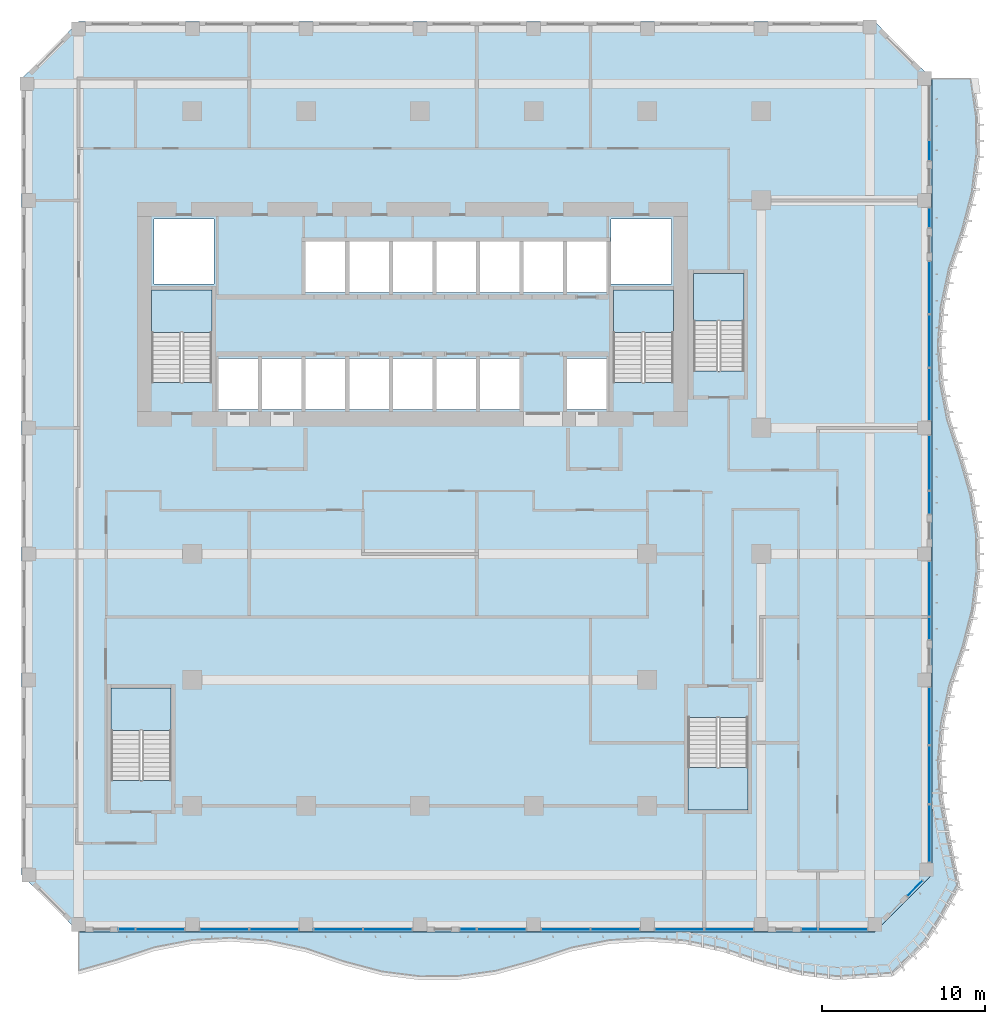
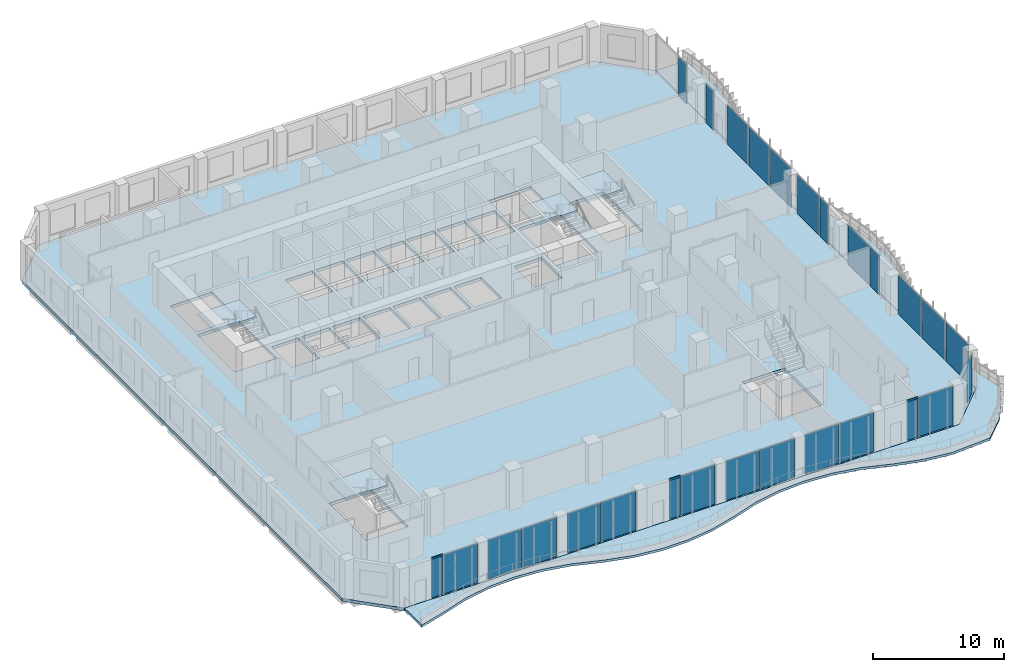
# One storey, part 11 of 27: 27 plates, 7 slabs, 3 members, 32 elements without a shape of their own.
"""IFC4 building model written with IfcOpenShell, lengths in metres."""

from ifc_helpers import new_model, si_unit, direction, frame, origin, origin_2d, place, context, subcontext, project, spatial, polyline, rectangle, outline, extrude, source, transform, mapped, material, layer, layer_set, material_profile, profile_set, type_object, element, aggregate, save


model = new_model("IFC4")

# Units and contexts
model_context = context("Model", 3, precision=1e-05, world=origin(), true_north=direction((0.0, 1.0)))
body_context = subcontext(model_context, "Body", "Model", "MODEL_VIEW")
ifc_project = project(units=[si_unit("LENGTHUNIT", "METRE"), si_unit("AREAUNIT", "SQUARE_METRE"), si_unit("VOLUMEUNIT", "CUBIC_METRE"), si_unit("PLANEANGLEUNIT", "RADIAN"), si_unit("MASSUNIT", "GRAM", prefix="KILO")], contexts=[model_context])

# Site, building, storey
site_placement = place(None, origin())
site = spatial("IfcSite", under=ifc_project, at=site_placement, CompositionType="ELEMENT")
building_placement = place(site_placement, origin())
building = spatial("IfcBuilding", under=site, at=building_placement, Name="Kilnfold Tower and Market Hall", CompositionType="ELEMENT")
storey_placement = place(building_placement, frame((0.0, 0.0, 116.60009765625)))
storey = spatial("IfcBuildingStorey", under=building, at=storey_placement, Name="L27", CompositionType="ELEMENT", Elevation=116.60009765625)

# Curtain wall, member
ifc_material_1 = material(Name="Aluminium and double glazing", Category="aluminium")
curtain_wall_type = type_object("IfcCurtainWallType", Name="CW OF2 VALLEY GLAZING", PredefinedType="NOTDEFINED", material=ifc_material_1)
curtain_wall_1_placement = place(storey_placement, origin())
curtain_wall_1 = element("IfcCurtainWall", 1, at=curtain_wall_1_placement, inside=storey, type_object=curtain_wall_type, Name="Curtain wall CW2 L27 S", PredefinedType="NOTDEFINED")
ifc_material_2 = material(Name="Aluminium", Category="aluminium")
ifc_material_profile = material_profile(ifc_material_2, rectangle(XDim=0.06005859375, YDim=0.159912109375, at=origin_2d()), Name="TRANSOM 60x160")
ifc_profile_set = profile_set([ifc_material_profile], Name="Aluminium")
member_type = type_object("IfcMemberType", Name="TRANSOM 60X160", PredefinedType="USERDEFINED", material=ifc_profile_set)
shared_shape_1 = source(origin(), body_context, "Body", "SweptSolid", [
    extrude(rectangle(XDim=0.06005859375, YDim=0.159912109375, at=origin_2d()), origin(), (0.0, 0.0, 1.0), 0.954833984375),
])
member_1_placement = place(storey_placement, frame((-17.014892578125, -22.85009765625, 3.68994140625), z_axis=(1.0, 0.0, 0.0), x_axis=(0.0, 1.0, 0.0)))
member_1 = element("IfcMember", 2, at=member_1_placement, type_object=member_type, Name="CW2 transom 1.2", ObjectType="TRANSOM", PredefinedType="USERDEFINED", context=body_context, shape_type="MappedRepresentation", body=[
    mapped(shared_shape_1, transform((0.0, 0.0, 0.0))),
])

curtain_wall_2_placement = place(storey_placement, origin())
curtain_wall_2 = element("IfcCurtainWall", 3, at=curtain_wall_2_placement, inside=storey, type_object=curtain_wall_type, Name="Curtain wall CW2 L27 S", PredefinedType="NOTDEFINED")
member_2_placement = place(storey_placement, frame((3.985107421875, -22.85009765625, 3.68994140625), z_axis=(1.0, 0.0, 0.0), x_axis=(0.0, 1.0, 0.0)))
member_2 = element("IfcMember", 4, at=member_2_placement, type_object=member_type, Name="CW2 transom 1.2", ObjectType="TRANSOM", PredefinedType="USERDEFINED", context=body_context, shape_type="MappedRepresentation", body=[
    mapped(shared_shape_1, transform((0.0, 0.0, 0.0))),
])

curtain_wall_3_placement = place(storey_placement, origin())
curtain_wall_3 = element("IfcCurtainWall", 5, at=curtain_wall_3_placement, inside=storey, type_object=curtain_wall_type, Name="Curtain wall CW2 L27 S", PredefinedType="NOTDEFINED")
member_3_placement = place(storey_placement, frame((24.985107421875, -22.85009765625, 3.68994140625), z_axis=(1.0, 0.0, 0.0), x_axis=(0.0, 1.0, 0.0)))
member_3 = element("IfcMember", 6, at=member_3_placement, type_object=member_type, Name="CW2 transom 1.2", ObjectType="TRANSOM", PredefinedType="USERDEFINED", context=body_context, shape_type="MappedRepresentation", body=[
    mapped(shared_shape_1, transform((0.0, 0.0, 0.0))),
])

# Slab
ifc_material_3 = material(Name="Concrete C45", Category="concrete")
ifc_layer_1 = layer(ifc_material_3, 0.280029296875)
ifc_layer_set_1 = layer_set([ifc_layer_1], Name="Concrete C45")
slab_type_1 = type_object("IfcSlabType", Name="FLOOR SLAB 280", PredefinedType="FLOOR", material=ifc_layer_set_1)
shared_shape_2 = source(origin(), body_context, "Body", "SweptSolid", [
    extrude(outline(polyline([(-19.5, -23.0), (29.5, -23.0), (33.0, -19.5), (33.0, 29.5), (29.5, 33.0), (-19.5, 33.0), (-23.0, 29.5), (-23.0, -19.5), (-19.5, -23.0)]), holes=[polyline([(-13.800537109375, -13.699462890625), (-17.49951171875, -13.699462890625), (-17.49951171875, -8.00048828125), (-13.800537109375, -8.00048828125), (-13.800537109375, -13.699462890625)]), polyline([(-14.99951171875, 10.800537109375), (-14.99951171875, 16.49951171875), (-11.300537109375, 16.49951171875), (-11.300537109375, 10.800537109375), (-14.99951171875, 10.800537109375)]), polyline([(-14.875, 16.875), (-14.875, 20.875), (-11.175048828125, 20.875), (-11.175048828125, 16.875), (-14.875, 16.875)]), polyline([(-8.455078125, 9.125), (-10.885009765625, 9.125), (-10.885009765625, 12.27490234375), (-8.455078125, 12.27490234375), (-8.455078125, 9.125)]), polyline([(-5.77490234375, 9.125), (-8.205078125, 9.125), (-8.205078125, 12.27490234375), (-5.77490234375, 12.27490234375), (-5.77490234375, 9.125)]), polyline([(-5.52490234375, 9.125), (-5.52490234375, 12.27490234375), (-3.094970703125, 12.27490234375), (-3.094970703125, 9.125), (-5.52490234375, 9.125)]), polyline([(-5.52490234375, 16.324951171875), (-5.52490234375, 19.47509765625), (-3.094970703125, 19.47509765625), (-3.094970703125, 16.324951171875), (-5.52490234375, 16.324951171875)]), polyline([(-2.844970703125, 9.125), (-2.844970703125, 12.27490234375), (-0.4150390625, 12.27490234375), (-0.4150390625, 9.125), (-2.844970703125, 9.125)]), polyline([(-0.4150390625, 16.324951171875), (-2.844970703125, 16.324951171875), (-2.844970703125, 19.47509765625), (-0.4150390625, 19.47509765625), (-0.4150390625, 16.324951171875)]), polyline([(2.264892578125, 9.125), (-0.1650390625, 9.125), (-0.1650390625, 12.27490234375), (2.264892578125, 12.27490234375), (2.264892578125, 9.125)]), polyline([(-0.1650390625, 16.324951171875), (-0.1650390625, 19.47509765625), (2.264892578125, 19.47509765625), (2.264892578125, 16.324951171875), (-0.1650390625, 16.324951171875)]), polyline([(4.945068359375, 9.125), (2.514892578125, 9.125), (2.514892578125, 12.27490234375), (4.945068359375, 12.27490234375), (4.945068359375, 9.125)]), polyline([(2.514892578125, 16.324951171875), (2.514892578125, 19.47509765625), (4.945068359375, 19.47509765625), (4.945068359375, 16.324951171875), (2.514892578125, 16.324951171875)]), polyline([(7.625, 9.125), (5.195068359375, 9.125), (5.195068359375, 12.27490234375), (7.625, 12.27490234375), (7.625, 9.125)]), polyline([(5.195068359375, 16.324951171875), (5.195068359375, 19.47509765625), (7.625, 19.47509765625), (7.625, 16.324951171875), (5.195068359375, 16.324951171875)]), polyline([(10.304931640625, 16.324951171875), (7.875, 16.324951171875), (7.875, 19.47509765625), (10.304931640625, 19.47509765625), (10.304931640625, 16.324951171875)]), polyline([(10.554931640625, 9.125), (10.554931640625, 12.27490234375), (12.985107421875, 12.27490234375), (12.985107421875, 9.125), (10.554931640625, 9.125)]), polyline([(10.554931640625, 16.324951171875), (10.554931640625, 19.47509765625), (12.985107421875, 19.47509765625), (12.985107421875, 16.324951171875), (10.554931640625, 16.324951171875)]), polyline([(13.27490234375, 16.875), (13.27490234375, 20.875), (16.97509765625, 20.875), (16.97509765625, 16.875), (13.27490234375, 16.875)]), polyline([(13.400390625, 10.800537109375), (13.400390625, 16.49951171875), (17.099609375, 16.49951171875), (17.099609375, 10.800537109375), (13.400390625, 10.800537109375)]), polyline([(18.00048828125, -9.800537109375), (21.699462890625, -9.800537109375), (21.699462890625, -15.49951171875), (18.00048828125, -15.49951171875), (18.00048828125, -9.800537109375)]), polyline([(21.449462890625, 11.50048828125), (18.3505859375, 11.50048828125), (18.3505859375, 17.49951171875), (21.449462890625, 17.49951171875), (21.449462890625, 11.50048828125)])]), origin(), (0.0, 0.0, 1.0), 0.280029296875),
])
slab_1_placement = place(storey_placement, frame((0.0, 0.0, -0.280029296875)))
element("IfcSlab", 7, at=slab_1_placement, inside=storey, type_object=slab_type_1, Name="Floor slab L27", PredefinedType="FLOOR", context=body_context, shape_type="MappedRepresentation", body=[
    mapped(shared_shape_2, transform((0.0, 0.0, 0.0))),
])

# Plate
ifc_material_4 = material(Name="Double glazed unit")
ifc_layer_2 = layer(ifc_material_4, 0.031982421875)
ifc_layer_set_2 = layer_set([ifc_layer_2], Name="Double glazed unit")
plate_type = type_object("IfcPlateType", Name="GLAZING PANEL 32", PredefinedType="CURTAIN_PANEL", material=ifc_layer_set_2)
shared_shape_3 = source(origin(), body_context, "Body", "SweptSolid", [
    extrude(rectangle(XDim=0.955078125, YDim=0.031982421875, at=origin_2d()), origin(), (0.0, 0.0, 1.0), 3.659912109375),
])
plate_1_placement = place(storey_placement, frame((-16.53759765625, -22.85009765625, 0.0), z_axis=(0.0, 0.0, 1.0), x_axis=(1.0, 0.0, 0.0)))
plate_1 = element("IfcPlate", 8, at=plate_1_placement, type_object=plate_type, Name="CW2 panel 1.1", PredefinedType="CURTAIN_PANEL", context=body_context, shape_type="MappedRepresentation", body=[
    mapped(shared_shape_3, transform((0.0, 0.0, 0.0))),
])

aggregate(curtain_wall_1, [member_1, plate_1])

plate_2_placement = place(storey_placement, frame((4.46240234375, -22.85009765625, 0.0), z_axis=(0.0, 0.0, 1.0), x_axis=(1.0, 0.0, 0.0)))
plate_2 = element("IfcPlate", 9, at=plate_2_placement, type_object=plate_type, Name="CW2 panel 1.1", PredefinedType="CURTAIN_PANEL", context=body_context, shape_type="MappedRepresentation", body=[
    mapped(shared_shape_3, transform((0.0, 0.0, 0.0))),
])

aggregate(curtain_wall_2, [member_2, plate_2])

plate_3_placement = place(storey_placement, frame((25.46240234375, -22.85009765625, 0.0), z_axis=(0.0, 0.0, 1.0), x_axis=(1.0, 0.0, 0.0)))
plate_3 = element("IfcPlate", 10, at=plate_3_placement, type_object=plate_type, Name="CW2 panel 1.1", PredefinedType="CURTAIN_PANEL", context=body_context, shape_type="MappedRepresentation", body=[
    mapped(shared_shape_3, transform((0.0, 0.0, 0.0))),
])

aggregate(curtain_wall_3, [member_3, plate_3])

# Curtain wall, plate
curtain_wall_4_placement = place(storey_placement, origin())
curtain_wall_4 = element("IfcCurtainWall", 11, at=curtain_wall_4_placement, inside=storey, type_object=curtain_wall_type, Name="Curtain wall CW2 L27 S", PredefinedType="NOTDEFINED")
shared_shape_4 = source(origin(), body_context, "Body", "SweptSolid", [
    extrude(rectangle(XDim=2.955078125, YDim=0.031982421875, at=origin_2d()), origin(), (0.0, 0.0, 1.0), 3.659912109375),
])
plate_4_placement = place(storey_placement, frame((-14.46240234375, -22.85009765625, 0.0), z_axis=(0.0, 0.0, 1.0), x_axis=(1.0, 0.0, 0.0)))
plate_4 = element("IfcPlate", 12, at=plate_4_placement, type_object=plate_type, Name="CW2 panel 1.1", PredefinedType="CURTAIN_PANEL", context=body_context, shape_type="MappedRepresentation", body=[
    mapped(shared_shape_4, transform((0.0, 0.0, 0.0))),
])
aggregate(curtain_wall_4, [plate_4])

curtain_wall_5_placement = place(storey_placement, origin())
curtain_wall_5 = element("IfcCurtainWall", 13, at=curtain_wall_5_placement, inside=storey, type_object=curtain_wall_type, Name="Curtain wall CW2 L27 S", PredefinedType="NOTDEFINED")
plate_5_placement = place(storey_placement, frame((-10.53759765625, -22.85009765625, 0.0), z_axis=(0.0, 0.0, 1.0), x_axis=(1.0, 0.0, 0.0)))
plate_5 = element("IfcPlate", 14, at=plate_5_placement, type_object=plate_type, Name="CW2 panel 1.1", PredefinedType="CURTAIN_PANEL", context=body_context, shape_type="MappedRepresentation", body=[
    mapped(shared_shape_4, transform((0.0, 0.0, 0.0))),
])
aggregate(curtain_wall_5, [plate_5])

curtain_wall_6_placement = place(storey_placement, origin())
curtain_wall_6 = element("IfcCurtainWall", 15, at=curtain_wall_6_placement, inside=storey, type_object=curtain_wall_type, Name="Curtain wall CW2 L27 S", PredefinedType="NOTDEFINED")
plate_6_placement = place(storey_placement, frame((-7.46240234375, -22.85009765625, 0.0), z_axis=(0.0, 0.0, 1.0), x_axis=(1.0, 0.0, 0.0)))
plate_6 = element("IfcPlate", 16, at=plate_6_placement, type_object=plate_type, Name="CW2 panel 1.1", PredefinedType="CURTAIN_PANEL", context=body_context, shape_type="MappedRepresentation", body=[
    mapped(shared_shape_4, transform((0.0, 0.0, 0.0))),
])
aggregate(curtain_wall_6, [plate_6])

curtain_wall_7_placement = place(storey_placement, origin())
curtain_wall_7 = element("IfcCurtainWall", 17, at=curtain_wall_7_placement, inside=storey, type_object=curtain_wall_type, Name="Curtain wall CW2 L27 S", PredefinedType="NOTDEFINED")
plate_7_placement = place(storey_placement, frame((-3.53759765625, -22.85009765625, 0.0), z_axis=(0.0, 0.0, 1.0), x_axis=(1.0, 0.0, 0.0)))
plate_7 = element("IfcPlate", 18, at=plate_7_placement, type_object=plate_type, Name="CW2 panel 1.1", PredefinedType="CURTAIN_PANEL", context=body_context, shape_type="MappedRepresentation", body=[
    mapped(shared_shape_4, transform((0.0, 0.0, 0.0))),
])
aggregate(curtain_wall_7, [plate_7])

curtain_wall_8_placement = place(storey_placement, origin())
curtain_wall_8 = element("IfcCurtainWall", 19, at=curtain_wall_8_placement, inside=storey, type_object=curtain_wall_type, Name="Curtain wall CW2 L27 S", PredefinedType="NOTDEFINED")
plate_8_placement = place(storey_placement, frame((-0.46240234375, -22.85009765625, 0.0), z_axis=(0.0, 0.0, 1.0), x_axis=(1.0, 0.0, 0.0)))
plate_8 = element("IfcPlate", 20, at=plate_8_placement, type_object=plate_type, Name="CW2 panel 1.1", PredefinedType="CURTAIN_PANEL", context=body_context, shape_type="MappedRepresentation", body=[
    mapped(shared_shape_4, transform((0.0, 0.0, 0.0))),
])
aggregate(curtain_wall_8, [plate_8])

curtain_wall_9_placement = place(storey_placement, origin())
curtain_wall_9 = element("IfcCurtainWall", 21, at=curtain_wall_9_placement, inside=storey, type_object=curtain_wall_type, Name="Curtain wall CW2 L27 S", PredefinedType="NOTDEFINED")
plate_9_placement = place(storey_placement, frame((6.53759765625, -22.85009765625, 0.0), z_axis=(0.0, 0.0, 1.0), x_axis=(1.0, 0.0, 0.0)))
plate_9 = element("IfcPlate", 22, at=plate_9_placement, type_object=plate_type, Name="CW2 panel 1.1", PredefinedType="CURTAIN_PANEL", context=body_context, shape_type="MappedRepresentation", body=[
    mapped(shared_shape_4, transform((0.0, 0.0, 0.0))),
])
aggregate(curtain_wall_9, [plate_9])

curtain_wall_10_placement = place(storey_placement, origin())
curtain_wall_10 = element("IfcCurtainWall", 23, at=curtain_wall_10_placement, inside=storey, type_object=curtain_wall_type, Name="Curtain wall CW2 L27 S", PredefinedType="NOTDEFINED")
plate_10_placement = place(storey_placement, frame((10.46240234375, -22.85009765625, 0.0), z_axis=(0.0, 0.0, 1.0), x_axis=(1.0, 0.0, 0.0)))
plate_10 = element("IfcPlate", 24, at=plate_10_placement, type_object=plate_type, Name="CW2 panel 1.1", PredefinedType="CURTAIN_PANEL", context=body_context, shape_type="MappedRepresentation", body=[
    mapped(shared_shape_4, transform((0.0, 0.0, 0.0))),
])
aggregate(curtain_wall_10, [plate_10])

curtain_wall_11_placement = place(storey_placement, origin())
curtain_wall_11 = element("IfcCurtainWall", 25, at=curtain_wall_11_placement, inside=storey, type_object=curtain_wall_type, Name="Curtain wall CW2 L27 S", PredefinedType="NOTDEFINED")
plate_11_placement = place(storey_placement, frame((13.53759765625, -22.85009765625, 0.0), z_axis=(0.0, 0.0, 1.0), x_axis=(1.0, 0.0, 0.0)))
plate_11 = element("IfcPlate", 26, at=plate_11_placement, type_object=plate_type, Name="CW2 panel 1.1", PredefinedType="CURTAIN_PANEL", context=body_context, shape_type="MappedRepresentation", body=[
    mapped(shared_shape_4, transform((0.0, 0.0, 0.0))),
])
aggregate(curtain_wall_11, [plate_11])

curtain_wall_12_placement = place(storey_placement, origin())
curtain_wall_12 = element("IfcCurtainWall", 27, at=curtain_wall_12_placement, inside=storey, type_object=curtain_wall_type, Name="Curtain wall CW2 L27 S", PredefinedType="NOTDEFINED")
plate_12_placement = place(storey_placement, frame((17.46240234375, -22.85009765625, 0.0), z_axis=(0.0, 0.0, 1.0), x_axis=(1.0, 0.0, 0.0)))
plate_12 = element("IfcPlate", 28, at=plate_12_placement, type_object=plate_type, Name="CW2 panel 1.1", PredefinedType="CURTAIN_PANEL", context=body_context, shape_type="MappedRepresentation", body=[
    mapped(shared_shape_4, transform((0.0, 0.0, 0.0))),
])
aggregate(curtain_wall_12, [plate_12])

curtain_wall_13_placement = place(storey_placement, origin())
curtain_wall_13 = element("IfcCurtainWall", 29, at=curtain_wall_13_placement, inside=storey, type_object=curtain_wall_type, Name="Curtain wall CW2 L27 S", PredefinedType="NOTDEFINED")
plate_13_placement = place(storey_placement, frame((20.53759765625, -22.85009765625, 0.0), z_axis=(0.0, 0.0, 1.0), x_axis=(1.0, 0.0, 0.0)))
plate_13 = element("IfcPlate", 30, at=plate_13_placement, type_object=plate_type, Name="CW2 panel 1.1", PredefinedType="CURTAIN_PANEL", context=body_context, shape_type="MappedRepresentation", body=[
    mapped(shared_shape_4, transform((0.0, 0.0, 0.0))),
])
aggregate(curtain_wall_13, [plate_13])

curtain_wall_14_placement = place(storey_placement, origin())
curtain_wall_14 = element("IfcCurtainWall", 31, at=curtain_wall_14_placement, inside=storey, type_object=curtain_wall_type, Name="Curtain wall CW2 L27 S", PredefinedType="NOTDEFINED")
plate_14_placement = place(storey_placement, frame((27.53759765625, -22.85009765625, 0.0), z_axis=(0.0, 0.0, 1.0), x_axis=(1.0, 0.0, 0.0)))
plate_14 = element("IfcPlate", 32, at=plate_14_placement, type_object=plate_type, Name="CW2 panel 1.1", PredefinedType="CURTAIN_PANEL", context=body_context, shape_type="MappedRepresentation", body=[
    mapped(shared_shape_4, transform((0.0, 0.0, 0.0))),
])
aggregate(curtain_wall_14, [plate_14])

curtain_wall_15_placement = place(storey_placement, origin())
curtain_wall_15 = element("IfcCurtainWall", 33, at=curtain_wall_15_placement, inside=storey, type_object=curtain_wall_type, Name="Curtain wall CW2 L27 SE", PredefinedType="NOTDEFINED")
shared_shape_5 = source(origin(), body_context, "Body", "SweptSolid", [
    extrude(rectangle(XDim=1.3095703125, YDim=0.031982421875, at=origin_2d()), origin(), (0.0, 0.0, 1.0), 3.659912109375),
])
plate_15_placement = place(storey_placement, frame((31.96337890625, -20.32421875, 0.0), z_axis=(0.0, 0.0, 1.0), x_axis=(0.707106781187, 0.707106781187, 0.0)))
plate_15 = element("IfcPlate", 34, at=plate_15_placement, type_object=plate_type, Name="CW2 panel 1.1", PredefinedType="CURTAIN_PANEL", context=body_context, shape_type="MappedRepresentation", body=[
    mapped(shared_shape_5, transform((0.0, 0.0, 0.0))),
])
aggregate(curtain_wall_15, [plate_15])

curtain_wall_16_placement = place(storey_placement, origin())
curtain_wall_16 = element("IfcCurtainWall", 35, at=curtain_wall_16_placement, inside=storey, type_object=curtain_wall_type, Name="Curtain wall CW2 L27 E", PredefinedType="NOTDEFINED")
shared_shape_6 = source(origin(), body_context, "Body", "SweptSolid", [
    extrude(rectangle(XDim=3.490478515625, YDim=0.031982421875, at=origin_2d()), origin(), (0.0, 0.0, 1.0), 3.659912109375),
])
plate_16_placement = place(storey_placement, frame((32.85009765625, -16.951416015625, 0.0), z_axis=(0.0, 0.0, 1.0), x_axis=(0.0, 1.0, 0.0)))
plate_16 = element("IfcPlate", 36, at=plate_16_placement, type_object=plate_type, Name="CW2 panel 1.1", PredefinedType="CURTAIN_PANEL", context=body_context, shape_type="MappedRepresentation", body=[
    mapped(shared_shape_6, transform((0.0, 0.0, 0.0))),
])
aggregate(curtain_wall_16, [plate_16])

curtain_wall_17_placement = place(storey_placement, origin())
curtain_wall_17 = element("IfcCurtainWall", 37, at=curtain_wall_17_placement, inside=storey, type_object=curtain_wall_type, Name="Curtain wall CW2 L27 E", PredefinedType="NOTDEFINED")
plate_17_placement = place(storey_placement, frame((32.85009765625, -13.3408203125, 0.0), z_axis=(0.0, 0.0, 1.0), x_axis=(0.0, 1.0, 0.0)))
plate_17 = element("IfcPlate", 38, at=plate_17_placement, type_object=plate_type, Name="CW2 panel 1.1", PredefinedType="CURTAIN_PANEL", context=body_context, shape_type="MappedRepresentation", body=[
    mapped(shared_shape_6, transform((0.0, 0.0, 0.0))),
])
aggregate(curtain_wall_17, [plate_17])

curtain_wall_18_placement = place(storey_placement, origin())
curtain_wall_18 = element("IfcCurtainWall", 39, at=curtain_wall_18_placement, inside=storey, type_object=curtain_wall_type, Name="Curtain wall CW2 L27 E", PredefinedType="NOTDEFINED")
plate_18_placement = place(storey_placement, frame((32.85009765625, -9.730224609375, 0.0), z_axis=(0.0, 0.0, 1.0), x_axis=(0.0, 1.0, 0.0)))
plate_18 = element("IfcPlate", 40, at=plate_18_placement, type_object=plate_type, Name="CW2 panel 1.1", PredefinedType="CURTAIN_PANEL", context=body_context, shape_type="MappedRepresentation", body=[
    mapped(shared_shape_6, transform((0.0, 0.0, 0.0))),
])
aggregate(curtain_wall_18, [plate_18])

curtain_wall_19_placement = place(storey_placement, origin())
curtain_wall_19 = element("IfcCurtainWall", 41, at=curtain_wall_19_placement, inside=storey, type_object=curtain_wall_type, Name="Curtain wall CW2 L27 E", PredefinedType="NOTDEFINED")
shared_shape_7 = source(origin(), body_context, "Body", "SweptSolid", [
    extrude(rectangle(XDim=3.330078125, YDim=0.031982421875, at=origin_2d()), origin(), (0.0, 0.0, 1.0), 3.659912109375),
])
plate_19_placement = place(storey_placement, frame((32.85009765625, -1.89990234375, 0.0), z_axis=(0.0, 0.0, 1.0), x_axis=(0.0, 1.0, 0.0)))
plate_19 = element("IfcPlate", 42, at=plate_19_placement, type_object=plate_type, Name="CW2 panel 1.1", PredefinedType="CURTAIN_PANEL", context=body_context, shape_type="MappedRepresentation", body=[
    mapped(shared_shape_7, transform((0.0, 0.0, 0.0))),
])
aggregate(curtain_wall_19, [plate_19])

curtain_wall_20_placement = place(storey_placement, origin())
curtain_wall_20 = element("IfcCurtainWall", 43, at=curtain_wall_20_placement, inside=storey, type_object=curtain_wall_type, Name="Curtain wall CW2 L27 E", PredefinedType="NOTDEFINED")
plate_20_placement = place(storey_placement, frame((32.85009765625, 5.85009765625, 0.0), z_axis=(0.0, 0.0, 1.0), x_axis=(0.0, 1.0, 0.0)))
plate_20 = element("IfcPlate", 44, at=plate_20_placement, type_object=plate_type, Name="CW2 panel 1.1", PredefinedType="CURTAIN_PANEL", context=body_context, shape_type="MappedRepresentation", body=[
    mapped(shared_shape_7, transform((0.0, 0.0, 0.0))),
])
aggregate(curtain_wall_20, [plate_20])

curtain_wall_21_placement = place(storey_placement, origin())
curtain_wall_21 = element("IfcCurtainWall", 45, at=curtain_wall_21_placement, inside=storey, type_object=curtain_wall_type, Name="Curtain wall CW2 L27 E", PredefinedType="NOTDEFINED")
shared_shape_8 = source(origin(), body_context, "Body", "SweptSolid", [
    extrude(rectangle(XDim=3.16748046875, YDim=0.031982421875, at=origin_2d()), origin(), (0.0, 0.0, 1.0), 3.659912109375),
])
plate_21_placement = place(storey_placement, frame((32.85009765625, 10.06884765625, 0.0), z_axis=(0.0, 0.0, 1.0), x_axis=(0.0, 1.0, 0.0)))
plate_21 = element("IfcPlate", 46, at=plate_21_placement, type_object=plate_type, Name="CW2 panel 1.1", PredefinedType="CURTAIN_PANEL", context=body_context, shape_type="MappedRepresentation", body=[
    mapped(shared_shape_8, transform((0.0, 0.0, 0.0))),
])
aggregate(curtain_wall_21, [plate_21])

curtain_wall_22_placement = place(storey_placement, origin())
curtain_wall_22 = element("IfcCurtainWall", 47, at=curtain_wall_22_placement, inside=storey, type_object=curtain_wall_type, Name="Curtain wall CW2 L27 E", PredefinedType="NOTDEFINED")
plate_22_placement = place(storey_placement, frame((32.85009765625, 13.356201171875, 0.0), z_axis=(0.0, 0.0, 1.0), x_axis=(0.0, 1.0, 0.0)))
plate_22 = element("IfcPlate", 48, at=plate_22_placement, type_object=plate_type, Name="CW2 panel 1.1", PredefinedType="CURTAIN_PANEL", context=body_context, shape_type="MappedRepresentation", body=[
    mapped(shared_shape_8, transform((0.0, 0.0, 0.0))),
])
aggregate(curtain_wall_22, [plate_22])

curtain_wall_23_placement = place(storey_placement, origin())
curtain_wall_23 = element("IfcCurtainWall", 49, at=curtain_wall_23_placement, inside=storey, type_object=curtain_wall_type, Name="Curtain wall CW2 L27 E", PredefinedType="NOTDEFINED")
plate_23_placement = place(storey_placement, frame((32.85009765625, 16.643798828125, 0.0), z_axis=(0.0, 0.0, 1.0), x_axis=(0.0, 1.0, 0.0)))
plate_23 = element("IfcPlate", 50, at=plate_23_placement, type_object=plate_type, Name="CW2 panel 1.1", PredefinedType="CURTAIN_PANEL", context=body_context, shape_type="MappedRepresentation", body=[
    mapped(shared_shape_8, transform((0.0, 0.0, 0.0))),
])
aggregate(curtain_wall_23, [plate_23])

curtain_wall_24_placement = place(storey_placement, origin())
curtain_wall_24 = element("IfcCurtainWall", 51, at=curtain_wall_24_placement, inside=storey, type_object=curtain_wall_type, Name="Curtain wall CW2 L27 E", PredefinedType="NOTDEFINED")
shared_shape_9 = source(origin(), body_context, "Body", "SweptSolid", [
    extrude(rectangle(XDim=1.16748046875, YDim=0.031982421875, at=origin_2d()), origin(), (0.0, 0.0, 1.0), 3.659912109375),
])
plate_24_placement = place(storey_placement, frame((32.85009765625, 20.93115234375, 0.0), z_axis=(0.0, 0.0, 1.0), x_axis=(0.0, 1.0, 0.0)))
plate_24 = element("IfcPlate", 52, at=plate_24_placement, type_object=plate_type, Name="CW2 panel 1.1", PredefinedType="CURTAIN_PANEL", context=body_context, shape_type="MappedRepresentation", body=[
    mapped(shared_shape_9, transform((0.0, 0.0, 0.0))),
])
aggregate(curtain_wall_24, [plate_24])

curtain_wall_25_placement = place(storey_placement, origin())
curtain_wall_25 = element("IfcCurtainWall", 53, at=curtain_wall_25_placement, inside=storey, type_object=curtain_wall_type, Name="Curtain wall CW2 L27 E", PredefinedType="NOTDEFINED")
shared_shape_10 = source(origin(), body_context, "Body", "SweptSolid", [
    extrude(rectangle(XDim=1.330078125, YDim=0.031982421875, at=origin_2d()), origin(), (0.0, 0.0, 1.0), 3.659912109375),
])
plate_25_placement = place(storey_placement, frame((32.85009765625, -4.35009765625, 0.0), z_axis=(0.0, 0.0, 1.0), x_axis=(0.0, 1.0, 0.0)))
plate_25 = element("IfcPlate", 54, at=plate_25_placement, type_object=plate_type, Name="CW2 panel 1.1", PredefinedType="CURTAIN_PANEL", context=body_context, shape_type="MappedRepresentation", body=[
    mapped(shared_shape_10, transform((0.0, 0.0, 0.0))),
])
aggregate(curtain_wall_25, [plate_25])

curtain_wall_26_placement = place(storey_placement, origin())
curtain_wall_26 = element("IfcCurtainWall", 55, at=curtain_wall_26_placement, inside=storey, type_object=curtain_wall_type, Name="Curtain wall CW2 L27 E", PredefinedType="NOTDEFINED")
plate_26_placement = place(storey_placement, frame((32.85009765625, 3.39990234375, 0.0), z_axis=(0.0, 0.0, 1.0), x_axis=(0.0, 1.0, 0.0)))
plate_26 = element("IfcPlate", 56, at=plate_26_placement, type_object=plate_type, Name="CW2 panel 1.1", PredefinedType="CURTAIN_PANEL", context=body_context, shape_type="MappedRepresentation", body=[
    mapped(shared_shape_10, transform((0.0, 0.0, 0.0))),
])
aggregate(curtain_wall_26, [plate_26])

curtain_wall_27_placement = place(storey_placement, origin())
curtain_wall_27 = element("IfcCurtainWall", 57, at=curtain_wall_27_placement, inside=storey, type_object=curtain_wall_type, Name="Curtain wall CW2 L27 E", PredefinedType="NOTDEFINED")
shared_shape_11 = source(origin(), body_context, "Body", "SweptSolid", [
    extrude(rectangle(XDim=1.205078125, YDim=0.031982421875, at=origin_2d()), origin(), (0.0, 0.0, 1.0), 3.659912109375),
])
plate_27_placement = place(storey_placement, frame((32.85009765625, 25.08740234375, 0.0), z_axis=(0.0, 0.0, 1.0), x_axis=(0.0, 1.0, 0.0)))
plate_27 = element("IfcPlate", 58, at=plate_27_placement, type_object=plate_type, Name="CW2 panel 1.1", PredefinedType="CURTAIN_PANEL", context=body_context, shape_type="MappedRepresentation", body=[
    mapped(shared_shape_11, transform((0.0, 0.0, 0.0))),
])
aggregate(curtain_wall_27, [plate_27])

# Slab
ifc_material_5 = material(Name="Concrete C40/50", Category="concrete")
ifc_layer_3 = layer(ifc_material_5, 0.219970703125)
ifc_layer_set_3 = layer_set([ifc_layer_3], Name="Concrete C40/50")
slab_type_2 = type_object("IfcSlabType", Name="BALCONY SLAB 220", PredefinedType="FLOOR", material=ifc_layer_set_3)
shared_shape_12 = source(origin(), body_context, "Body", "SweptSolid", [
    extrude(outline(polyline([(-19.5, -23.0), (29.5, -23.0), (33.0, -19.5), (33.0, 29.5), (35.6171875, 29.5), (35.949462890625, 27.166748046875), (35.972412109375, 24.833251953125), (35.68798828125, 22.5), (35.080078125, 20.166748046875), (34.27978515625, 17.833251953125), (33.782470703125, 15.5), (33.601318359375, 13.166748046875), (33.7265625, 10.833251953125), (34.164794921875, 8.5), (34.932373046875, 6.166748046875), (35.602294921875, 3.833251953125), (35.94384765625, 1.5), (35.976318359375, -0.833251953125), (35.701171875, -3.166748046875), (35.103515625, -5.5), (34.2998046875, -7.833251953125), (33.792724609375, -10.166748046875), (33.602294921875, -12.5), (33.71826171875, -14.833251953125), (34.146728515625, -17.166748046875), (34.761474609375, -20.2294921875), (33.546630859375, -22.3798828125), (32.6259765625, -23.79248046875), (30.632568359375, -25.734130859375), (27.166748046875, -25.964111328125), (24.833251953125, -25.660400390625), (22.5, -25.031982421875), (20.166748046875, -24.239990234375), (17.833251953125, -23.7626953125), (15.5, -23.60009765625), (13.166748046875, -23.743896484375), (10.833251953125, -24.201904296875), (8.5, -24.98291015625), (6.166748046875, -25.632080078125), (3.833251953125, -25.95458984375), (1.5, -25.968505859375), (-0.833251953125, -25.67431640625), (-3.166748046875, -25.05615234375), (-5.5, -24.259765625), (-7.833251953125, -23.7724609375), (-10.166748046875, -23.6005859375), (-12.5, -23.735107421875), (-14.833251953125, -24.18310546875), (-17.166748046875, -24.957763671875), (-19.5, -25.6171875), (-19.5, -23.0)])), origin(), (0.0, 0.0, 1.0), 0.22021484375),
])
slab_2_placement = place(storey_placement, frame((0.0, 0.0, -0.22021484375)))
element("IfcSlab", 59, at=slab_2_placement, inside=storey, type_object=slab_type_2, Name="Balcony slab L27", PredefinedType="FLOOR", context=body_context, shape_type="MappedRepresentation", body=[
    mapped(shared_shape_12, transform((0.0, 0.0, 0.0))),
])

# Stair, slab
ifc_material_6 = material(Name="Concrete C40/50", Category="concrete")
stair_type_1 = type_object("IfcStairType", Name="CORE STAIR 1800", PredefinedType="HALF_TURN_STAIR", material=ifc_material_6)
stair_1_placement = place(storey_placement, origin())
stair_1 = element("IfcStair", 60, at=stair_1_placement, inside=storey, type_object=stair_type_1, Name="L27 ST1", PredefinedType="HALF_TURN_STAIR")
ifc_material_7 = material(Name="Concrete C40/50", Category="concrete")
ifc_layer_4 = layer(ifc_material_7, 0.199951171875)
ifc_layer_set_4 = layer_set([ifc_layer_4], Name="Concrete C40/50")
slab_type_3 = type_object("IfcSlabType", Name="CORE STAIR LANDING 200", PredefinedType="LANDING", material=ifc_layer_set_4)
shared_shape_13 = source(origin(), body_context, "Body", "SweptSolid", [
    extrude(outline(polyline([(-11.300048828125, 13.8798828125), (-11.300048828125, 16.5), (-15.0, 16.5), (-15.0, 13.8798828125), (-11.300048828125, 13.8798828125)])), origin(), (0.0, 0.0, 1.0), 0.2001953125),
])
slab_3_placement = place(storey_placement, frame((0.0, 0.0, 1.7998046875)))
slab_3 = element("IfcSlab", 61, at=slab_3_placement, type_object=slab_type_3, Name="ST1 landing 1", PredefinedType="LANDING", context=body_context, shape_type="MappedRepresentation", body=[
    mapped(shared_shape_13, transform((0.0, 0.0, 0.0))),
])
aggregate(stair_1, [slab_3])

stair_2_placement = place(storey_placement, origin())
stair_2 = element("IfcStair", 62, at=stair_2_placement, inside=storey, type_object=stair_type_1, Name="L27 ST2", PredefinedType="HALF_TURN_STAIR")
shared_shape_14 = source(origin(), body_context, "Body", "SweptSolid", [
    extrude(outline(polyline([(17.10009765625, 13.8798828125), (17.10009765625, 16.5), (13.39990234375, 16.5), (13.39990234375, 13.8798828125), (17.10009765625, 13.8798828125)])), origin(), (0.0, 0.0, 1.0), 0.2001953125),
])
slab_4_placement = place(storey_placement, frame((0.0, 0.0, 1.7998046875)))
slab_4 = element("IfcSlab", 63, at=slab_4_placement, type_object=slab_type_3, Name="ST2 landing 1", PredefinedType="LANDING", context=body_context, shape_type="MappedRepresentation", body=[
    mapped(shared_shape_14, transform((0.0, 0.0, 0.0))),
])
aggregate(stair_2, [slab_4])

stair_3_placement = place(storey_placement, origin())
stair_3 = element("IfcStair", 64, at=stair_3_placement, inside=storey, type_object=stair_type_1, Name="L27 ST3", PredefinedType="HALF_TURN_STAIR")
shared_shape_15 = source(origin(), body_context, "Body", "SweptSolid", [
    extrude(outline(polyline([(-13.800048828125, -10.6201171875), (-13.800048828125, -8.0), (-17.5, -8.0), (-17.5, -10.6201171875), (-13.800048828125, -10.6201171875)])), origin(), (0.0, 0.0, 1.0), 0.2001953125),
])
slab_5_placement = place(storey_placement, frame((0.0, 0.0, 1.7998046875)))
slab_5 = element("IfcSlab", 65, at=slab_5_placement, type_object=slab_type_3, Name="ST3 landing 1", PredefinedType="LANDING", context=body_context, shape_type="MappedRepresentation", body=[
    mapped(shared_shape_15, transform((0.0, 0.0, 0.0))),
])
aggregate(stair_3, [slab_5])

stair_4_placement = place(storey_placement, origin())
stair_4 = element("IfcStair", 66, at=stair_4_placement, inside=storey, type_object=stair_type_1, Name="L27 ST4", PredefinedType="HALF_TURN_STAIR")
shared_shape_16 = source(origin(), body_context, "Body", "SweptSolid", [
    extrude(outline(polyline([(18.0, -12.8798828125), (18.0, -15.5), (21.699951171875, -15.5), (21.699951171875, -12.8798828125), (18.0, -12.8798828125)])), origin(), (0.0, 0.0, 1.0), 0.2001953125),
])
slab_6_placement = place(storey_placement, frame((0.0, 0.0, 1.7998046875)))
slab_6 = element("IfcSlab", 67, at=slab_6_placement, type_object=slab_type_3, Name="ST4 landing 1", PredefinedType="LANDING", context=body_context, shape_type="MappedRepresentation", body=[
    mapped(shared_shape_16, transform((0.0, 0.0, 0.0))),
])
aggregate(stair_4, [slab_6])

ifc_material_8 = material(Name="Concrete C40/50", Category="concrete")
stair_type_2 = type_object("IfcStairType", Name="CORE STAIR 1500", PredefinedType="HALF_TURN_STAIR", material=ifc_material_8)
stair_5_placement = place(storey_placement, origin())
stair_5 = element("IfcStair", 68, at=stair_5_placement, inside=storey, type_object=stair_type_2, Name="L27 ST5", PredefinedType="HALF_TURN_STAIR")
shared_shape_17 = source(origin(), body_context, "Body", "SweptSolid", [
    extrude(outline(polyline([(21.449951171875, 14.580078125), (21.449951171875, 17.5), (18.35009765625, 17.5), (18.35009765625, 14.580078125), (21.449951171875, 14.580078125)])), origin(), (0.0, 0.0, 1.0), 0.2001953125),
])
slab_7_placement = place(storey_placement, frame((0.0, 0.0, 1.7998046875)))
slab_7 = element("IfcSlab", 69, at=slab_7_placement, type_object=slab_type_3, Name="ST5 landing 1", PredefinedType="LANDING", context=body_context, shape_type="MappedRepresentation", body=[
    mapped(shared_shape_17, transform((0.0, 0.0, 0.0))),
])
aggregate(stair_5, [slab_7])

save(model, "model.ifc")
